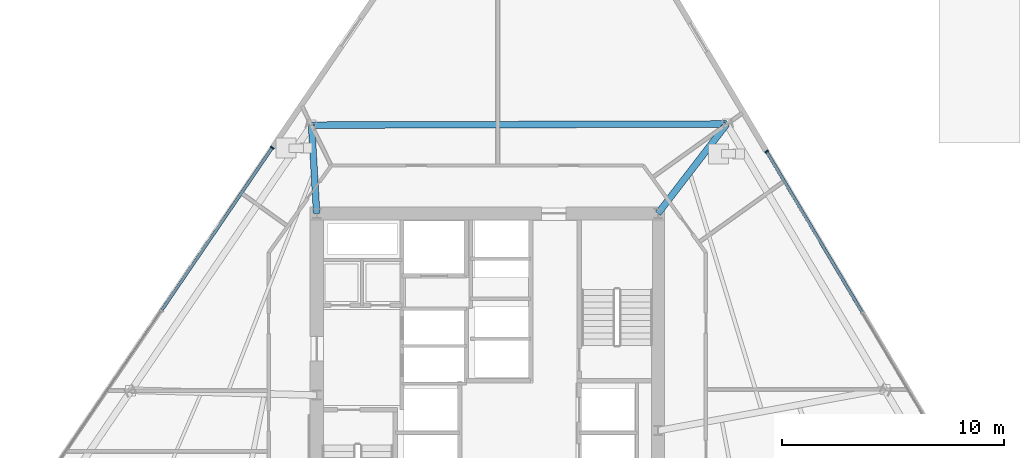
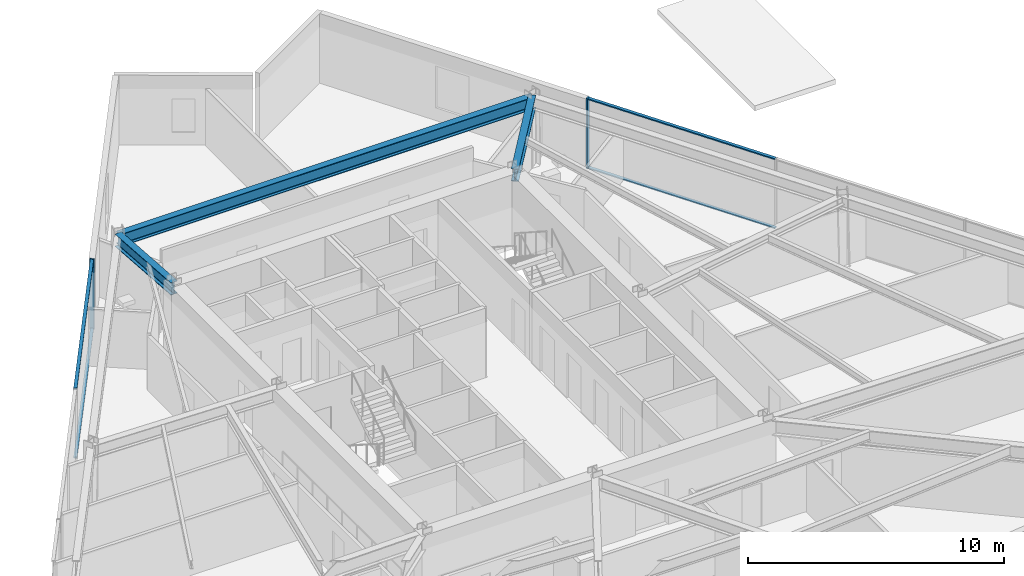
# One storey, part 7 of 16: 6 members, 3 beams, 2 elements without a shape of their own.
"""IFC4 building model written with IfcOpenShell, lengths in metres."""

from ifc_helpers import new_model, si_unit, direction, frame, origin, origin_2d, place, context, subcontext, project, spatial, rectangle, i_section, extrude, material, material_profile, profile_set, type_object, element, aggregate, save


model = new_model("IFC4")

# Units and contexts
model_context = context("Model", 3, precision=1e-05, world=origin(), true_north=direction((0.0, 1.0)))
body_context = subcontext(model_context, "Body", "Model", "MODEL_VIEW")
ifc_project = project(units=[si_unit("LENGTHUNIT", "METRE"), si_unit("AREAUNIT", "SQUARE_METRE"), si_unit("VOLUMEUNIT", "CUBIC_METRE"), si_unit("PLANEANGLEUNIT", "RADIAN"), si_unit("MASSUNIT", "GRAM", prefix="KILO")], contexts=[model_context])

# Site, building, storey
site_placement = place(None, origin())
site = spatial("IfcSite", under=ifc_project, at=site_placement, CompositionType="ELEMENT")
building_placement = place(site_placement, origin())
building = spatial("IfcBuilding", under=site, at=building_placement, Name="Savorim Split Tower", CompositionType="ELEMENT")
storey_placement = place(building_placement, frame((0.0, 0.0, 30.0)))
storey = spatial("IfcBuildingStorey", under=building, at=storey_placement, Name="L07", CompositionType="ELEMENT", Elevation=30.0)

# Beams
ifc_material_1 = material(Name="Steel S355", Category="steel")
ifc_material_profile_1 = material_profile(ifc_material_1, i_section(OverallWidth=0.300048828125, OverallDepth=0.60009765625, WebThickness=0.015380859375, FlangeThickness=0.030029296875, FilletRadius=0.027099609375, at=origin_2d()), Name="HEB 600")
ifc_profile_set_1 = profile_set([ifc_material_profile_1], Name="Steel S355")
beam_type_1 = type_object("IfcBeamType", Name="BM-PRI-HEB600", PredefinedType="BEAM", material=ifc_profile_set_1)
beam_1_placement = place(storey_placement, frame((10.80126953125, 14.232177734375, 3.050048828125), z_axis=(-0.609662052491, -0.792661454691, 0.0), x_axis=(0.792661454691, -0.609662052491, 0.0)))
element("IfcBeam", 1, at=beam_1_placement, inside=storey, type_object=beam_type_1, Name="L07 Primary Floor Girder RG-07", PredefinedType="BEAM", context=body_context, shape_type="SweptSolid", body=[
    extrude(i_section(OverallWidth=0.300048828125, OverallDepth=0.60009765625, WebThickness=0.015380859375, FlangeThickness=0.030029296875, FilletRadius=0.027099609375, at=origin_2d()), origin(), (0.0, 0.0, 1.0), 5.0869140625),
])
beam_2_placement = place(storey_placement, frame((-7.92919921875, 14.183349609375, 3.050048828125), z_axis=(0.057455799214, -0.998348051101, 0.0), x_axis=(0.998348051101, 0.057455799214, 0.0)))
element("IfcBeam", 2, at=beam_2_placement, inside=storey, type_object=beam_type_1, Name="L07 Primary Floor Girder RG-08", PredefinedType="BEAM", context=body_context, shape_type="SweptSolid", body=[
    extrude(i_section(OverallWidth=0.300048828125, OverallDepth=0.60009765625, WebThickness=0.015380859375, FlangeThickness=0.030029296875, FilletRadius=0.027099609375, at=origin_2d()), origin(), (0.0, 0.0, 1.0), 3.989990234375),
])
ifc_material_profile_2 = material_profile(ifc_material_1, i_section(OverallWidth=0.300048828125, OverallDepth=0.590087890625, WebThickness=0.012939453125, FlangeThickness=0.02490234375, FilletRadius=0.027099609375, at=origin_2d()), Name="HEA 600")
ifc_profile_set_2 = profile_set([ifc_material_profile_2], Name="Steel S355")
beam_type_2 = type_object("IfcBeamType", Name="BM-SPN-HEA600", PredefinedType="SPANDREL", material=ifc_profile_set_2)
beam_3_placement = place(storey_placement, frame((10.80126953125, 14.232177734375, 3.054931640625), z_axis=(-0.9999966021, -0.002606873311, 0.0), x_axis=(0.002606873311, -0.9999966021, 0.0)))
element("IfcBeam", 3, at=beam_3_placement, inside=storey, type_object=beam_type_2, Name="L07 Perimeter Spandrel Beam 7", PredefinedType="SPANDREL", context=body_context, shape_type="SweptSolid", body=[
    extrude(i_section(OverallWidth=0.300048828125, OverallDepth=0.590087890625, WebThickness=0.012939453125, FlangeThickness=0.02490234375, FilletRadius=0.027099609375, at=origin_2d()), origin(), (0.0, 0.0, 1.0), 18.73046875),
])

# Curtain wall, member
ifc_material_2 = material(Name="Dark Ceramic-Fritted Insulated Glass", Category="glass")
curtain_wall_type = type_object("IfcCurtainWallType", Name="CW-TWR-FRIT-A", PredefinedType="NOTDEFINED", material=ifc_material_2)
curtain_wall_1_placement = place(storey_placement, origin())
curtain_wall_1 = element("IfcCurtainWall", 4, at=curtain_wall_1_placement, inside=storey, type_object=curtain_wall_type, Name="L07 Curtain Wall CW-L07-EAST", PredefinedType="NOTDEFINED")
ifc_material_3 = material(Name="Charcoal Anodised Aluminium", Category="aluminium")
ifc_material_profile_3 = material_profile(ifc_material_3, rectangle(XDim=0.179931640625, YDim=0.06494140625, at=origin_2d()), Name="ALU-M 180x65")
ifc_profile_set_3 = profile_set([ifc_material_profile_3], Name="Charcoal Anodised Aluminium")
member_type_1 = type_object("IfcMemberType", Name="CWM-180x65", PredefinedType="MULLION", material=ifc_profile_set_3)
member_1_placement = place(storey_placement, frame((12.599609375, 12.991455078125, 0.0), z_axis=(0.0, 0.0, 1.0), x_axis=(-0.859525752007, -0.511092439425, 0.0)))
member_1 = element("IfcMember", 5, at=member_1_placement, type_object=member_type_1, Name="CW-02 mullion 5", PredefinedType="MULLION", context=body_context, shape_type="SweptSolid", body=[
    extrude(rectangle(XDim=0.179931640625, YDim=0.06494140625, at=origin_2d()), origin(), (0.0, 0.0, 1.0), 3.35009765625),
])

curtain_wall_2_placement = place(storey_placement, origin())
curtain_wall_2 = element("IfcCurtainWall", 6, at=curtain_wall_2_placement, inside=storey, type_object=curtain_wall_type, Name="L07 Curtain Wall CW-L07-WEST", PredefinedType="NOTDEFINED")
member_2_placement = place(storey_placement, frame((-9.702392578125, 13.1640625, 0.0), z_axis=(0.0, 0.0, 1.0), x_axis=(0.826820923165, -0.562465253164, 0.0)))
member_2 = element("IfcMember", 7, at=member_2_placement, type_object=member_type_1, Name="CW-02 mullion 1", PredefinedType="MULLION", context=body_context, shape_type="SweptSolid", body=[
    extrude(rectangle(XDim=0.179931640625, YDim=0.06494140625, at=origin_2d()), origin(), (0.0, 0.0, 1.0), 3.35009765625),
])

# Member
ifc_material_profile_4 = material_profile(ifc_material_3, rectangle(XDim=0.139892578125, YDim=0.054931640625, at=origin_2d()), Name="ALU-T 140x55")
ifc_profile_set_4 = profile_set([ifc_material_profile_4], Name="Charcoal Anodised Aluminium")
member_type_2 = type_object("IfcMemberType", Name="CWT-140x55", PredefinedType="USERDEFINED", material=ifc_profile_set_4)
member_3_placement = place(storey_placement, frame((16.90673828125, 5.748046875, 0.027587890625), z_axis=(-0.511091652485, 0.859526219938, 0.0), x_axis=(-0.859526219938, -0.511091652485, 0.0)))
member_3 = element("IfcMember", 8, at=member_3_placement, type_object=member_type_2, Name="CW-02 transom 4.1", ObjectType="TRANSOM", PredefinedType="USERDEFINED", context=body_context, shape_type="SweptSolid", body=[
    extrude(rectangle(XDim=0.139892578125, YDim=0.054931640625, at=origin_2d()), origin(), (0.0, 0.0, 1.0), 8.394775390625),
])

member_4_placement = place(storey_placement, frame((16.90673828125, 5.748046875, 3.322509765625), z_axis=(-0.511091652485, 0.859526219938, 0.0), x_axis=(-0.859526219938, -0.511091652485, 0.0)))
member_4 = element("IfcMember", 9, at=member_4_placement, type_object=member_type_2, Name="CW-02 transom 4.2", ObjectType="TRANSOM", PredefinedType="USERDEFINED", context=body_context, shape_type="SweptSolid", body=[
    extrude(rectangle(XDim=0.139892578125, YDim=0.054931640625, at=origin_2d()), origin(), (0.0, 0.0, 1.0), 8.394775390625),
])

aggregate(curtain_wall_1, [member_1, member_3, member_4])

member_5_placement = place(storey_placement, frame((-9.720458984375, 13.13720703125, 0.027587890625), z_axis=(-0.562479559143, -0.82681119099, 0.0), x_axis=(0.82681119099, -0.562479559143, 0.0)))
member_5 = element("IfcMember", 10, at=member_5_placement, type_object=member_type_2, Name="CW-02 transom 1.1", ObjectType="TRANSOM", PredefinedType="USERDEFINED", context=body_context, shape_type="SweptSolid", body=[
    extrude(rectangle(XDim=0.139892578125, YDim=0.054931640625, at=origin_2d()), origin(), (0.0, 0.0, 1.0), 8.822265625),
])

member_6_placement = place(storey_placement, frame((-9.720458984375, 13.13720703125, 3.322509765625), z_axis=(-0.562479559143, -0.82681119099, 0.0), x_axis=(0.82681119099, -0.562479559143, 0.0)))
member_6 = element("IfcMember", 11, at=member_6_placement, type_object=member_type_2, Name="CW-02 transom 1.2", ObjectType="TRANSOM", PredefinedType="USERDEFINED", context=body_context, shape_type="SweptSolid", body=[
    extrude(rectangle(XDim=0.139892578125, YDim=0.054931640625, at=origin_2d()), origin(), (0.0, 0.0, 1.0), 8.822265625),
])

aggregate(curtain_wall_2, [member_2, member_5, member_6])

save(model, "model.ifc")
